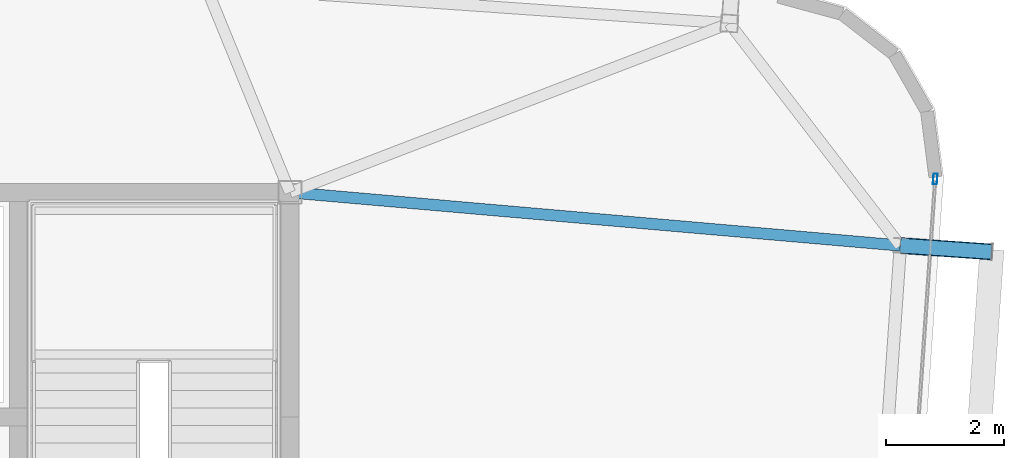
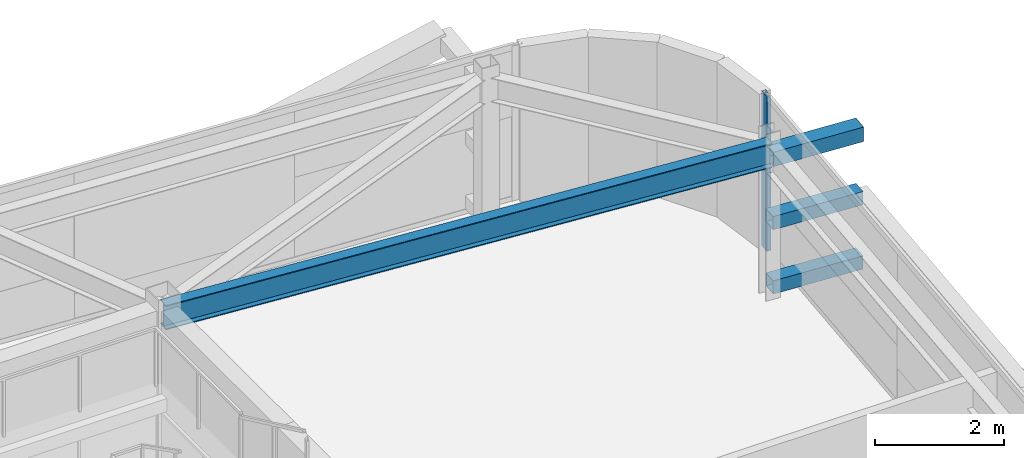
# One storey, part 18 of 39: 4 members, 1 beam, 1 element without a shape of its own.
"""IFC4 building model written with IfcOpenShell, lengths in metres."""

from ifc_helpers import new_model, si_unit, direction, frame, origin, origin_2d, place, context, subcontext, project, spatial, hollow_rectangle, i_section, extrude, source, transform, mapped, material, layer, layer_set, material_profile, profile_set, type_object, element, aggregate, save


model = new_model("IFC4")

# Units and contexts
model_context = context("Model", 3, precision=1e-05, world=origin(), true_north=direction((0.0, 1.0)))
body_context = subcontext(model_context, "Body", "Model", "MODEL_VIEW")
ifc_project = project(units=[si_unit("LENGTHUNIT", "METRE"), si_unit("AREAUNIT", "SQUARE_METRE"), si_unit("VOLUMEUNIT", "CUBIC_METRE"), si_unit("PLANEANGLEUNIT", "RADIAN"), si_unit("MASSUNIT", "GRAM", prefix="KILO")], contexts=[model_context])

# Site, building, storey
site_placement = place(None, origin())
site = spatial("IfcSite", under=ifc_project, at=site_placement, CompositionType="ELEMENT")
building_placement = place(site_placement, origin())
building = spatial("IfcBuilding", under=site, at=building_placement, Name="Taldren Reach Tower", CompositionType="ELEMENT")
storey_placement = place(building_placement, frame((0.0, 0.0, 145.60009765625)))
storey = spatial("IfcBuildingStorey", under=building, at=storey_placement, Name="L44", CompositionType="ELEMENT", Elevation=145.60009765625)

# Members
ifc_material_1 = material(Name="Steel Gr 450 (C450L0)", Category="steel")
ifc_material_profile_1 = material_profile(ifc_material_1, hollow_rectangle(XDim=0.27490234375, YDim=0.27490234375, WallThickness=0.00927734375, at=origin_2d()), Name="275x275x9.3SHS")
ifc_profile_set_1 = profile_set([ifc_material_profile_1], Name="Steel Gr 450 (C450L0)")
member_type_1 = type_object("IfcMemberType", Name="MB-TIE273", PredefinedType="STRUT", material=ifc_profile_set_1)
shared_shape_1 = source(origin(), body_context, "Body", "SweptSolid", [
    extrude(hollow_rectangle(XDim=0.27490234375, YDim=0.27490234375, WallThickness=0.00927734375, at=origin_2d()), origin(), (0.0, 0.0, 1.0), 1.550048828125),
])
member_1_placement = place(storey_placement, frame((61.3310546875, 31.1005859375, 2.64990234375), z_axis=(0.99756313426, -0.06976957191, 0.0), x_axis=(0.06976957191, 0.99756313426, 0.0)))
element("IfcMember", 1, at=member_1_placement, inside=storey, type_object=member_type_1, Name="Exoskeleton diaphragm tie strut B3-E3 L44", PredefinedType="STRUT", context=body_context, shape_type="MappedRepresentation", body=[
    mapped(shared_shape_1, transform((0.0, 0.0, 0.0), scale=1.0)),
])
ifc_material_2 = material(Name="Steel Gr 350 (C350L0)", Category="steel")
ifc_material_profile_2 = material_profile(ifc_material_2, hollow_rectangle(XDim=0.25, YDim=0.25, WallThickness=0.010009765625, at=origin_2d()), Name="250x250x10.0SHS")
ifc_profile_set_2 = profile_set([ifc_material_profile_2], Name="Steel Gr 350 (C350L0)")
member_type_2 = type_object("IfcMemberType", Name="MB-POST250", PredefinedType="POST", material=ifc_profile_set_2)
shared_shape_2 = source(origin(), body_context, "Body", "SweptSolid", [
    extrude(hollow_rectangle(XDim=0.25, YDim=0.25, WallThickness=0.010009765625, at=origin_2d()), origin(), (0.0, 0.0, 1.0), 1.550048828125),
])
for number, where, z_axis, x_axis, name in (
    (2, (61.3310546875, 31.1005859375, 0.219970703125), (0.99756313426, -0.06976957191, 0.0), (0.06976957191, 0.99756313426, 0.0), "Exoskeleton base diaphragm tie strut B3-E3 L44"),
    (3, (61.3310546875, 31.1005859375, 1.434814453125), (0.99756313426, -0.06976957191, 0.0), (0.06976957191, 0.99756313426, 0.0), "Exoskeleton mid-tier diaphragm tie B3-E3 L44"),
):
    element("IfcMember", number, at=place(storey_placement, frame(where, z_axis=z_axis, x_axis=x_axis)), inside=storey, type_object=member_type_2, Name=name, PredefinedType="POST", context=body_context, shape_type="MappedRepresentation", body=[
        mapped(shared_shape_2, transform((0.0, 0.0, 0.0), scale=1.0)),
    ])

# Beam
ifc_material_3 = material(Name="Steel Gr 350 (350PLUS)", Category="steel")
ifc_material_profile_3 = material_profile(ifc_material_3, i_section(OverallWidth=0.19091796875, OverallDepth=0.4599609375, WebThickness=0.010009765625, FlangeThickness=0.01611328125, at=origin_2d()), Name="460UB82.1")
ifc_profile_set_3 = profile_set([ifc_material_profile_3], Name="Steel Gr 350 (350PLUS)")
beam_type = type_object("IfcBeamType", Name="BM-UB460A", PredefinedType="BEAM", material=ifc_profile_set_3)
shared_shape_3 = source(origin(), body_context, "Body", "SweptSolid", [
    extrude(i_section(OverallWidth=0.19091796875, OverallDepth=0.4599609375, WebThickness=0.010009765625, FlangeThickness=0.01611328125, at=origin_2d()), origin(), (0.0, 0.0, 1.0), 10.3701171875),
])
beam_placement = place(storey_placement, frame((51.0, 32.0, 2.699951171875), z_axis=(0.996231748992, -0.086731207186, 0.0), x_axis=(0.086731207186, 0.996231748992, 0.0)))
element("IfcBeam", 4, at=beam_placement, inside=storey, type_object=beam_type, Name="Primary floor girder B3-E3 L44", PredefinedType="BEAM", context=body_context, shape_type="MappedRepresentation", body=[
    mapped(shared_shape_3, transform((0.0, 0.0, 0.0), scale=1.0)),
])

# Curtain wall, member
ifc_material_4 = material(Name="Aluminium and Low-E Glass Unitised System", Category="aluminium")
ifc_layer = layer(ifc_material_4, 0.159912109375)
ifc_layer_set = layer_set([ifc_layer], Name="Aluminium and Low-E Glass Unitised System")
curtain_wall_type = type_object("IfcCurtainWallType", Name="CW-SYS-4", PredefinedType="NOTDEFINED", material=ifc_layer_set)
curtain_wall_placement = place(storey_placement, origin())
curtain_wall = element("IfcCurtainWall", 5, at=curtain_wall_placement, inside=storey, type_object=curtain_wall_type, Name="Unitised curtain wall CW-L44-E", PredefinedType="NOTDEFINED")
ifc_material_5 = material(Name="Anodised Aluminium 6063-T6", Category="aluminium")
ifc_material_profile_4 = material_profile(ifc_material_5, hollow_rectangle(XDim=0.070068359375, YDim=0.179931640625, WallThickness=0.00390625, at=origin_2d()), Name="ALU-180x70x4RHS")
ifc_profile_set_4 = profile_set([ifc_material_profile_4], Name="Anodised Aluminium 6063-T6")
member_type_3 = type_object("IfcMemberType", Name="CW-MUL-180", PredefinedType="MULLION", material=ifc_profile_set_4)
shared_shape_4 = source(origin(), body_context, "Body", "SweptSolid", [
    extrude(hollow_rectangle(XDim=0.070068359375, YDim=0.179931640625, WallThickness=0.00390625, at=origin_2d()), origin(), (0.0, 0.0, 1.0), 2.929931640625),
])
member_2_placement = place(storey_placement, frame((61.921142578125, 32.22705078125, 0.0), z_axis=(0.0, 0.0, 1.0), x_axis=(-0.997564052812, 0.069756437251, 0.0)))
member_2 = element("IfcMember", 6, at=member_2_placement, type_object=member_type_3, Name="CW-4 mullion 3", PredefinedType="MULLION", context=body_context, shape_type="MappedRepresentation", body=[
    mapped(shared_shape_4, transform((0.0, 0.0, 0.0), scale=1.0)),
])
aggregate(curtain_wall, [member_2])

save(model, "model.ifc")
